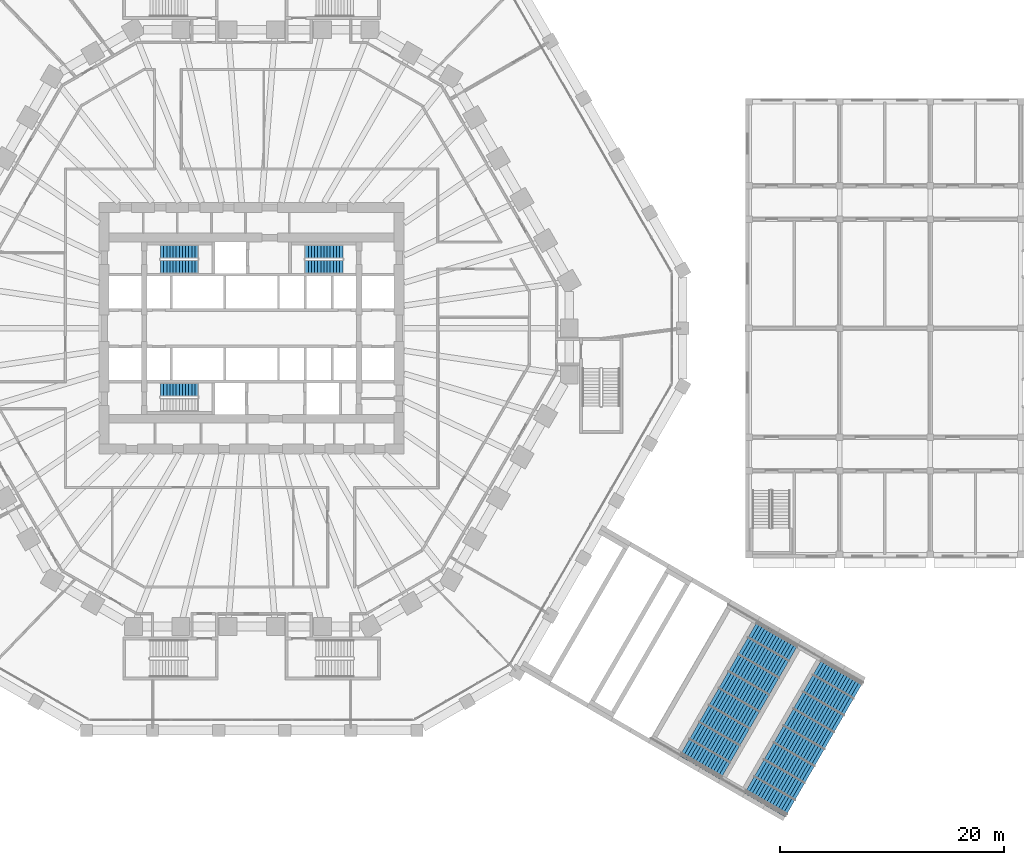
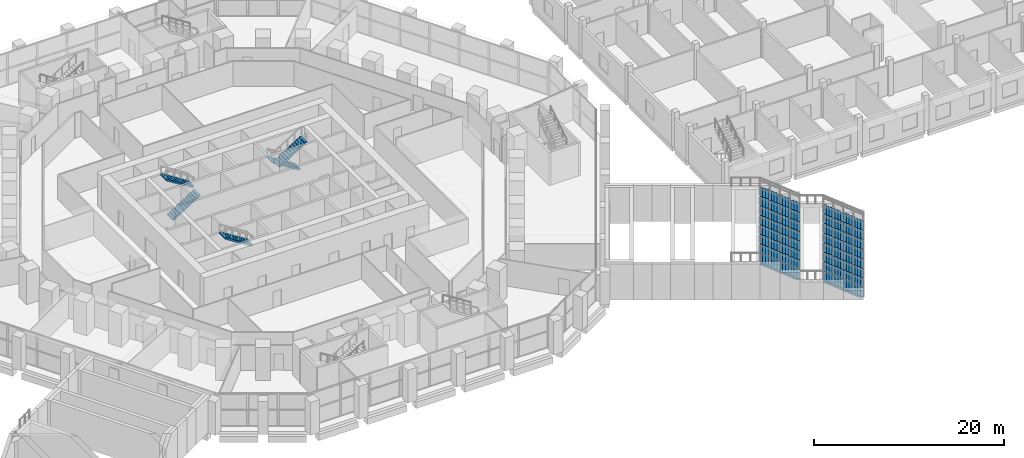
# One storey, part 30 of 38: 21 stair flights, 4 elements without a shape of their own.
"""IFC4 building model written with IfcOpenShell, lengths in metres."""

from ifc_helpers import new_model, si_unit, direction, frame, origin, place, context, subcontext, project, spatial, polyline, outline, extrude, material, layer, layer_set, type_object, element, aggregate, save


model = new_model("IFC4")

# Units and contexts
model_context = context("Model", 3, precision=1e-05, world=origin(), true_north=direction((0.0, 1.0)))
body_context = subcontext(model_context, "Body", "Model", "MODEL_VIEW")
ifc_project = project(units=[si_unit("LENGTHUNIT", "METRE"), si_unit("AREAUNIT", "SQUARE_METRE"), si_unit("VOLUMEUNIT", "CUBIC_METRE"), si_unit("PLANEANGLEUNIT", "RADIAN"), si_unit("MASSUNIT", "GRAM", prefix="KILO")], contexts=[model_context])

# Site, building, storey
site_placement = place(None, origin())
site = spatial("IfcSite", under=ifc_project, at=site_placement, CompositionType="ELEMENT")
building_placement = place(site_placement, origin())
building = spatial("IfcBuilding", under=site, at=building_placement, Name="Frailejon Research Tower", CompositionType="ELEMENT")
storey_placement = place(building_placement, frame((0.0, 0.0, 5.60009765625)))
storey = spatial("IfcBuildingStorey", under=building, at=storey_placement, Name="L01", CompositionType="ELEMENT", Elevation=5.60009765625)

# Stair, stair flights
ifc_material_1 = material(Name="Concrete C35/45", Category="concrete")
stair_type_1 = type_object("IfcStairType", Name="Broad stair", PredefinedType="STRAIGHT_RUN_STAIR", material=ifc_material_1)
stair_1_placement = place(storey_placement, origin())
stair_1 = element("IfcStair", 1, at=stair_1_placement, inside=storey, type_object=stair_type_1, Name="Broad stair E2", PredefinedType="STRAIGHT_RUN_STAIR")
ifc_material_2 = material(Name="Concrete C35/45", Category="concrete")
stair_flight_type_1 = type_object("IfcStairFlightType", Name="Broad stair flight", PredefinedType="STRAIGHT", material=ifc_material_2)
stair_flight_1_placement = place(storey_placement, frame((42.367919921875, -39.61669921875, 2.2998046875), z_axis=(0.0, 0.0, 1.0), x_axis=(-0.866025403784, 0.5, 0.0)))
stair_flight_1 = element("IfcStairFlight", 2, at=stair_flight_1_placement, type_object=stair_flight_type_1, Name="SS-E2 flight 1", NumberOfRisers=15, NumberOfTreads=14, PredefinedType="STRAIGHT", RiserHeight=0.153333333, TreadLength=0.3, context=body_context, shape_type="SweptSolid", body=[
    extrude(outline(polyline([(0.0, 0.0), (0.0, 0.1533203125), (0.300048828125, 0.1533203125), (0.300048828125, 0.306640625), (0.60009765625, 0.306640625), (0.60009765625, 0.4599609375), (0.89990234375, 0.4599609375), (0.89990234375, 0.61328125), (1.199951171875, 0.61328125), (1.199951171875, 0.7666015625), (1.5, 0.7666015625), (1.5, 0.919921875), (1.800048828125, 0.919921875), (1.800048828125, 1.0732421875), (2.10009765625, 1.0732421875), (2.10009765625, 1.2265625), (2.39990234375, 1.2265625), (2.39990234375, 1.3798828125), (2.699951171875, 1.3798828125), (2.699951171875, 1.533447265625), (3.0, 1.533447265625), (3.0, 1.686767578125), (3.300048828125, 1.686767578125), (3.300048828125, 1.840087890625), (3.60009765625, 1.840087890625), (3.60009765625, 1.993408203125), (3.89990234375, 1.993408203125), (3.89990234375, 2.146728515625), (4.199951171875, 2.146728515625), (4.199951171875, 2.300048828125), (4.199951171875, 1.922119140625), (0.439453125, 0.0), (0.0, 0.0)])), frame((0.0, 0.875, 0.0), z_axis=(0.0, -1.0, 0.0), x_axis=(1.0, 0.0, 0.0)), (0.0, 0.0, 1.0), 1.75),
])
stair_flight_2_placement = place(storey_placement, frame((43.242919921875, -38.10107421875, 2.2998046875), z_axis=(0.0, 0.0, 1.0), x_axis=(-0.866025403784, 0.5, 0.0)))
stair_flight_2 = element("IfcStairFlight", 3, at=stair_flight_2_placement, type_object=stair_flight_type_1, Name="SS-E2 flight 2", NumberOfRisers=15, NumberOfTreads=14, PredefinedType="STRAIGHT", RiserHeight=0.153333333, TreadLength=0.3, context=body_context, shape_type="SweptSolid", body=[
    extrude(outline(polyline([(0.0, 0.0), (0.0, 0.1533203125), (0.300048828125, 0.1533203125), (0.300048828125, 0.306640625), (0.60009765625, 0.306640625), (0.60009765625, 0.4599609375), (0.89990234375, 0.4599609375), (0.89990234375, 0.61328125), (1.199951171875, 0.61328125), (1.199951171875, 0.7666015625), (1.5, 0.7666015625), (1.5, 0.919921875), (1.800048828125, 0.919921875), (1.800048828125, 1.0732421875), (2.10009765625, 1.0732421875), (2.10009765625, 1.2265625), (2.39990234375, 1.2265625), (2.39990234375, 1.3798828125), (2.699951171875, 1.3798828125), (2.699951171875, 1.533447265625), (3.0, 1.533447265625), (3.0, 1.686767578125), (3.300048828125, 1.686767578125), (3.300048828125, 1.840087890625), (3.60009765625, 1.840087890625), (3.60009765625, 1.993408203125), (3.89990234375, 1.993408203125), (3.89990234375, 2.146728515625), (4.199951171875, 2.146728515625), (4.199951171875, 2.300048828125), (4.199951171875, 1.922119140625), (0.439453125, 0.0), (0.0, 0.0)])), frame((0.0, 0.875, 0.0), z_axis=(0.0, -1.0, 0.0), x_axis=(1.0, 0.0, 0.0)), (0.0, 0.0, 1.0), 1.75),
])
stair_flight_3_placement = place(storey_placement, frame((44.117919921875, -36.58544921875, 2.2998046875), z_axis=(0.0, 0.0, 1.0), x_axis=(-0.866025403784, 0.5, 0.0)))
stair_flight_3 = element("IfcStairFlight", 4, at=stair_flight_3_placement, type_object=stair_flight_type_1, Name="SS-E2 flight 3", NumberOfRisers=15, NumberOfTreads=14, PredefinedType="STRAIGHT", RiserHeight=0.153333333, TreadLength=0.3, context=body_context, shape_type="SweptSolid", body=[
    extrude(outline(polyline([(0.0, 0.0), (0.0, 0.1533203125), (0.300048828125, 0.1533203125), (0.300048828125, 0.306640625), (0.60009765625, 0.306640625), (0.60009765625, 0.4599609375), (0.89990234375, 0.4599609375), (0.89990234375, 0.61328125), (1.199951171875, 0.61328125), (1.199951171875, 0.7666015625), (1.5, 0.7666015625), (1.5, 0.919921875), (1.800048828125, 0.919921875), (1.800048828125, 1.0732421875), (2.10009765625, 1.0732421875), (2.10009765625, 1.2265625), (2.39990234375, 1.2265625), (2.39990234375, 1.3798828125), (2.699951171875, 1.3798828125), (2.699951171875, 1.533447265625), (3.0, 1.533447265625), (3.0, 1.686767578125), (3.300048828125, 1.686767578125), (3.300048828125, 1.840087890625), (3.60009765625, 1.840087890625), (3.60009765625, 1.993408203125), (3.89990234375, 1.993408203125), (3.89990234375, 2.146728515625), (4.199951171875, 2.146728515625), (4.199951171875, 2.300048828125), (4.199951171875, 1.922119140625), (0.439453125, 0.0), (0.0, 0.0)])), frame((0.0, 0.875, 0.0), z_axis=(0.0, -1.0, 0.0), x_axis=(1.0, 0.0, 0.0)), (0.0, 0.0, 1.0), 1.75),
])
stair_flight_4_placement = place(storey_placement, frame((44.992919921875, -35.070068359375, 2.2998046875), z_axis=(0.0, 0.0, 1.0), x_axis=(-0.866025403784, 0.5, 0.0)))
stair_flight_4 = element("IfcStairFlight", 5, at=stair_flight_4_placement, type_object=stair_flight_type_1, Name="SS-E2 flight 4", NumberOfRisers=15, NumberOfTreads=14, PredefinedType="STRAIGHT", RiserHeight=0.153333333, TreadLength=0.3, context=body_context, shape_type="SweptSolid", body=[
    extrude(outline(polyline([(0.0, 0.0), (0.0, 0.1533203125), (0.300048828125, 0.1533203125), (0.300048828125, 0.306640625), (0.60009765625, 0.306640625), (0.60009765625, 0.4599609375), (0.89990234375, 0.4599609375), (0.89990234375, 0.61328125), (1.199951171875, 0.61328125), (1.199951171875, 0.7666015625), (1.5, 0.7666015625), (1.5, 0.919921875), (1.800048828125, 0.919921875), (1.800048828125, 1.0732421875), (2.10009765625, 1.0732421875), (2.10009765625, 1.2265625), (2.39990234375, 1.2265625), (2.39990234375, 1.3798828125), (2.699951171875, 1.3798828125), (2.699951171875, 1.533447265625), (3.0, 1.533447265625), (3.0, 1.686767578125), (3.300048828125, 1.686767578125), (3.300048828125, 1.840087890625), (3.60009765625, 1.840087890625), (3.60009765625, 1.993408203125), (3.89990234375, 1.993408203125), (3.89990234375, 2.146728515625), (4.199951171875, 2.146728515625), (4.199951171875, 2.300048828125), (4.199951171875, 1.922119140625), (0.439453125, 0.0), (0.0, 0.0)])), frame((0.0, 0.875, 0.0), z_axis=(0.0, -1.0, 0.0), x_axis=(1.0, 0.0, 0.0)), (0.0, 0.0, 1.0), 1.75),
])
stair_flight_5_placement = place(storey_placement, frame((45.867919921875, -33.554443359375, 2.2998046875), z_axis=(0.0, 0.0, 1.0), x_axis=(-0.866025403784, 0.5, 0.0)))
stair_flight_5 = element("IfcStairFlight", 6, at=stair_flight_5_placement, type_object=stair_flight_type_1, Name="SS-E2 flight 5", NumberOfRisers=15, NumberOfTreads=14, PredefinedType="STRAIGHT", RiserHeight=0.153333333, TreadLength=0.3, context=body_context, shape_type="SweptSolid", body=[
    extrude(outline(polyline([(0.0, 0.0), (0.0, 0.1533203125), (0.300048828125, 0.1533203125), (0.300048828125, 0.306640625), (0.60009765625, 0.306640625), (0.60009765625, 0.4599609375), (0.89990234375, 0.4599609375), (0.89990234375, 0.61328125), (1.199951171875, 0.61328125), (1.199951171875, 0.7666015625), (1.5, 0.7666015625), (1.5, 0.919921875), (1.800048828125, 0.919921875), (1.800048828125, 1.0732421875), (2.10009765625, 1.0732421875), (2.10009765625, 1.2265625), (2.39990234375, 1.2265625), (2.39990234375, 1.3798828125), (2.699951171875, 1.3798828125), (2.699951171875, 1.533447265625), (3.0, 1.533447265625), (3.0, 1.686767578125), (3.300048828125, 1.686767578125), (3.300048828125, 1.840087890625), (3.60009765625, 1.840087890625), (3.60009765625, 1.993408203125), (3.89990234375, 1.993408203125), (3.89990234375, 2.146728515625), (4.199951171875, 2.146728515625), (4.199951171875, 2.300048828125), (4.199951171875, 1.922119140625), (0.439453125, 0.0), (0.0, 0.0)])), frame((0.0, 0.875, 0.0), z_axis=(0.0, -1.0, 0.0), x_axis=(1.0, 0.0, 0.0)), (0.0, 0.0, 1.0), 1.75),
])
stair_flight_6_placement = place(storey_placement, frame((46.742919921875, -32.038818359375, 2.2998046875), z_axis=(0.0, 0.0, 1.0), x_axis=(-0.866025403784, 0.5, 0.0)))
stair_flight_6 = element("IfcStairFlight", 7, at=stair_flight_6_placement, type_object=stair_flight_type_1, Name="SS-E2 flight 6", NumberOfRisers=15, NumberOfTreads=14, PredefinedType="STRAIGHT", RiserHeight=0.153333333, TreadLength=0.3, context=body_context, shape_type="SweptSolid", body=[
    extrude(outline(polyline([(0.0, 0.0), (0.0, 0.1533203125), (0.300048828125, 0.1533203125), (0.300048828125, 0.306640625), (0.60009765625, 0.306640625), (0.60009765625, 0.4599609375), (0.89990234375, 0.4599609375), (0.89990234375, 0.61328125), (1.199951171875, 0.61328125), (1.199951171875, 0.7666015625), (1.5, 0.7666015625), (1.5, 0.919921875), (1.800048828125, 0.919921875), (1.800048828125, 1.0732421875), (2.10009765625, 1.0732421875), (2.10009765625, 1.2265625), (2.39990234375, 1.2265625), (2.39990234375, 1.3798828125), (2.699951171875, 1.3798828125), (2.699951171875, 1.533447265625), (3.0, 1.533447265625), (3.0, 1.686767578125), (3.300048828125, 1.686767578125), (3.300048828125, 1.840087890625), (3.60009765625, 1.840087890625), (3.60009765625, 1.993408203125), (3.89990234375, 1.993408203125), (3.89990234375, 2.146728515625), (4.199951171875, 2.146728515625), (4.199951171875, 2.300048828125), (4.199951171875, 1.922119140625), (0.439453125, 0.0), (0.0, 0.0)])), frame((0.0, 0.875, 0.0), z_axis=(0.0, -1.0, 0.0), x_axis=(1.0, 0.0, 0.0)), (0.0, 0.0, 1.0), 1.75),
])
stair_flight_7_placement = place(storey_placement, frame((47.617919921875, -30.523193359375, 2.2998046875), z_axis=(0.0, 0.0, 1.0), x_axis=(-0.866025403784, 0.5, 0.0)))
stair_flight_7 = element("IfcStairFlight", 8, at=stair_flight_7_placement, type_object=stair_flight_type_1, Name="SS-E2 flight 7", NumberOfRisers=15, NumberOfTreads=14, PredefinedType="STRAIGHT", RiserHeight=0.153333333, TreadLength=0.3, context=body_context, shape_type="SweptSolid", body=[
    extrude(outline(polyline([(0.0, 0.0), (0.0, 0.1533203125), (0.300048828125, 0.1533203125), (0.300048828125, 0.306640625), (0.60009765625, 0.306640625), (0.60009765625, 0.4599609375), (0.89990234375, 0.4599609375), (0.89990234375, 0.61328125), (1.199951171875, 0.61328125), (1.199951171875, 0.7666015625), (1.5, 0.7666015625), (1.5, 0.919921875), (1.800048828125, 0.919921875), (1.800048828125, 1.0732421875), (2.10009765625, 1.0732421875), (2.10009765625, 1.2265625), (2.39990234375, 1.2265625), (2.39990234375, 1.3798828125), (2.699951171875, 1.3798828125), (2.699951171875, 1.533447265625), (3.0, 1.533447265625), (3.0, 1.686767578125), (3.300048828125, 1.686767578125), (3.300048828125, 1.840087890625), (3.60009765625, 1.840087890625), (3.60009765625, 1.993408203125), (3.89990234375, 1.993408203125), (3.89990234375, 2.146728515625), (4.199951171875, 2.146728515625), (4.199951171875, 2.300048828125), (4.199951171875, 1.922119140625), (0.439453125, 0.0), (0.0, 0.0)])), frame((0.0, 0.875, 0.0), z_axis=(0.0, -1.0, 0.0), x_axis=(1.0, 0.0, 0.0)), (0.0, 0.0, 1.0), 1.75),
])
stair_flight_8_placement = place(storey_placement, frame((48.492919921875, -29.0078125, 2.2998046875), z_axis=(0.0, 0.0, 1.0), x_axis=(-0.866025403784, 0.5, 0.0)))
stair_flight_8 = element("IfcStairFlight", 9, at=stair_flight_8_placement, type_object=stair_flight_type_1, Name="SS-E2 flight 8", NumberOfRisers=15, NumberOfTreads=14, PredefinedType="STRAIGHT", RiserHeight=0.153333333, TreadLength=0.3, context=body_context, shape_type="SweptSolid", body=[
    extrude(outline(polyline([(0.0, 0.0), (0.0, 0.1533203125), (0.300048828125, 0.1533203125), (0.300048828125, 0.306640625), (0.60009765625, 0.306640625), (0.60009765625, 0.4599609375), (0.89990234375, 0.4599609375), (0.89990234375, 0.61328125), (1.199951171875, 0.61328125), (1.199951171875, 0.7666015625), (1.5, 0.7666015625), (1.5, 0.919921875), (1.800048828125, 0.919921875), (1.800048828125, 1.0732421875), (2.10009765625, 1.0732421875), (2.10009765625, 1.2265625), (2.39990234375, 1.2265625), (2.39990234375, 1.3798828125), (2.699951171875, 1.3798828125), (2.699951171875, 1.533447265625), (3.0, 1.533447265625), (3.0, 1.686767578125), (3.300048828125, 1.686767578125), (3.300048828125, 1.840087890625), (3.60009765625, 1.840087890625), (3.60009765625, 1.993408203125), (3.89990234375, 1.993408203125), (3.89990234375, 2.146728515625), (4.199951171875, 2.146728515625), (4.199951171875, 2.300048828125), (4.199951171875, 1.922119140625), (0.439453125, 0.0), (0.0, 0.0)])), frame((0.0, 0.875, 0.0), z_axis=(0.0, -1.0, 0.0), x_axis=(1.0, 0.0, 0.0)), (0.0, 0.0, 1.0), 1.75),
])
stair_flight_9_placement = place(storey_placement, frame((48.17041015625, -42.966552734375, 0.0), z_axis=(0.0, 0.0, 1.0), x_axis=(-0.866025403784, 0.5, 0.0)))
stair_flight_9 = element("IfcStairFlight", 10, at=stair_flight_9_placement, type_object=stair_flight_type_1, Name="SS-E2 flight 9", NumberOfRisers=15, NumberOfTreads=14, PredefinedType="STRAIGHT", RiserHeight=0.153333333, TreadLength=0.3, context=body_context, shape_type="SweptSolid", body=[
    extrude(outline(polyline([(0.0, 0.0), (0.0, 0.1533203125), (0.300048828125, 0.1533203125), (0.300048828125, 0.306640625), (0.60009765625, 0.306640625), (0.60009765625, 0.4599609375), (0.89990234375, 0.4599609375), (0.89990234375, 0.61328125), (1.199951171875, 0.61328125), (1.199951171875, 0.7666015625), (1.5, 0.7666015625), (1.5, 0.919921875), (1.800048828125, 0.919921875), (1.800048828125, 1.0732421875), (2.10009765625, 1.0732421875), (2.10009765625, 1.2265625), (2.39990234375, 1.2265625), (2.39990234375, 1.3798828125), (2.699951171875, 1.3798828125), (2.699951171875, 1.533447265625), (3.0, 1.533447265625), (3.0, 1.686767578125), (3.300048828125, 1.686767578125), (3.300048828125, 1.840087890625), (3.60009765625, 1.840087890625), (3.60009765625, 1.993408203125), (3.89990234375, 1.993408203125), (3.89990234375, 2.146728515625), (4.199951171875, 2.146728515625), (4.199951171875, 2.300048828125), (4.199951171875, 1.922119140625), (0.439453125, 0.0), (0.0, 0.0)])), frame((0.0, 0.875, 0.0), z_axis=(0.0, -1.0, 0.0), x_axis=(1.0, 0.0, 0.0)), (0.0, 0.0, 1.0), 1.75),
])
stair_flight_10_placement = place(storey_placement, frame((49.04541015625, -41.450927734375, 0.0), z_axis=(0.0, 0.0, 1.0), x_axis=(-0.866025403784, 0.5, 0.0)))
stair_flight_10 = element("IfcStairFlight", 11, at=stair_flight_10_placement, type_object=stair_flight_type_1, Name="SS-E2 flight 10", NumberOfRisers=15, NumberOfTreads=14, PredefinedType="STRAIGHT", RiserHeight=0.153333333, TreadLength=0.3, context=body_context, shape_type="SweptSolid", body=[
    extrude(outline(polyline([(0.0, 0.0), (0.0, 0.1533203125), (0.300048828125, 0.1533203125), (0.300048828125, 0.306640625), (0.60009765625, 0.306640625), (0.60009765625, 0.4599609375), (0.89990234375, 0.4599609375), (0.89990234375, 0.61328125), (1.199951171875, 0.61328125), (1.199951171875, 0.7666015625), (1.5, 0.7666015625), (1.5, 0.919921875), (1.800048828125, 0.919921875), (1.800048828125, 1.0732421875), (2.10009765625, 1.0732421875), (2.10009765625, 1.2265625), (2.39990234375, 1.2265625), (2.39990234375, 1.3798828125), (2.699951171875, 1.3798828125), (2.699951171875, 1.533447265625), (3.0, 1.533447265625), (3.0, 1.686767578125), (3.300048828125, 1.686767578125), (3.300048828125, 1.840087890625), (3.60009765625, 1.840087890625), (3.60009765625, 1.993408203125), (3.89990234375, 1.993408203125), (3.89990234375, 2.146728515625), (4.199951171875, 2.146728515625), (4.199951171875, 2.300048828125), (4.199951171875, 1.922119140625), (0.439453125, 0.0), (0.0, 0.0)])), frame((0.0, 0.875, 0.0), z_axis=(0.0, -1.0, 0.0), x_axis=(1.0, 0.0, 0.0)), (0.0, 0.0, 1.0), 1.75),
])
stair_flight_11_placement = place(storey_placement, frame((49.92041015625, -39.935546875, 0.0), z_axis=(0.0, 0.0, 1.0), x_axis=(-0.866025403784, 0.5, 0.0)))
stair_flight_11 = element("IfcStairFlight", 12, at=stair_flight_11_placement, type_object=stair_flight_type_1, Name="SS-E2 flight 11", NumberOfRisers=15, NumberOfTreads=14, PredefinedType="STRAIGHT", RiserHeight=0.153333333, TreadLength=0.3, context=body_context, shape_type="SweptSolid", body=[
    extrude(outline(polyline([(0.0, 0.0), (0.0, 0.1533203125), (0.300048828125, 0.1533203125), (0.300048828125, 0.306640625), (0.60009765625, 0.306640625), (0.60009765625, 0.4599609375), (0.89990234375, 0.4599609375), (0.89990234375, 0.61328125), (1.199951171875, 0.61328125), (1.199951171875, 0.7666015625), (1.5, 0.7666015625), (1.5, 0.919921875), (1.800048828125, 0.919921875), (1.800048828125, 1.0732421875), (2.10009765625, 1.0732421875), (2.10009765625, 1.2265625), (2.39990234375, 1.2265625), (2.39990234375, 1.3798828125), (2.699951171875, 1.3798828125), (2.699951171875, 1.533447265625), (3.0, 1.533447265625), (3.0, 1.686767578125), (3.300048828125, 1.686767578125), (3.300048828125, 1.840087890625), (3.60009765625, 1.840087890625), (3.60009765625, 1.993408203125), (3.89990234375, 1.993408203125), (3.89990234375, 2.146728515625), (4.199951171875, 2.146728515625), (4.199951171875, 2.300048828125), (4.199951171875, 1.922119140625), (0.439453125, 0.0), (0.0, 0.0)])), frame((0.0, 0.875, 0.0), z_axis=(0.0, -1.0, 0.0), x_axis=(1.0, 0.0, 0.0)), (0.0, 0.0, 1.0), 1.75),
])
stair_flight_12_placement = place(storey_placement, frame((50.79541015625, -38.419921875, 0.0), z_axis=(0.0, 0.0, 1.0), x_axis=(-0.866025403784, 0.5, 0.0)))
stair_flight_12 = element("IfcStairFlight", 13, at=stair_flight_12_placement, type_object=stair_flight_type_1, Name="SS-E2 flight 12", NumberOfRisers=15, NumberOfTreads=14, PredefinedType="STRAIGHT", RiserHeight=0.153333333, TreadLength=0.3, context=body_context, shape_type="SweptSolid", body=[
    extrude(outline(polyline([(0.0, 0.0), (0.0, 0.1533203125), (0.300048828125, 0.1533203125), (0.300048828125, 0.306640625), (0.60009765625, 0.306640625), (0.60009765625, 0.4599609375), (0.89990234375, 0.4599609375), (0.89990234375, 0.61328125), (1.199951171875, 0.61328125), (1.199951171875, 0.7666015625), (1.5, 0.7666015625), (1.5, 0.919921875), (1.800048828125, 0.919921875), (1.800048828125, 1.0732421875), (2.10009765625, 1.0732421875), (2.10009765625, 1.2265625), (2.39990234375, 1.2265625), (2.39990234375, 1.3798828125), (2.699951171875, 1.3798828125), (2.699951171875, 1.533447265625), (3.0, 1.533447265625), (3.0, 1.686767578125), (3.300048828125, 1.686767578125), (3.300048828125, 1.840087890625), (3.60009765625, 1.840087890625), (3.60009765625, 1.993408203125), (3.89990234375, 1.993408203125), (3.89990234375, 2.146728515625), (4.199951171875, 2.146728515625), (4.199951171875, 2.300048828125), (4.199951171875, 1.922119140625), (0.439453125, 0.0), (0.0, 0.0)])), frame((0.0, 0.875, 0.0), z_axis=(0.0, -1.0, 0.0), x_axis=(1.0, 0.0, 0.0)), (0.0, 0.0, 1.0), 1.75),
])
stair_flight_13_placement = place(storey_placement, frame((51.67041015625, -36.904296875, 0.0), z_axis=(0.0, 0.0, 1.0), x_axis=(-0.866025403784, 0.5, 0.0)))
stair_flight_13 = element("IfcStairFlight", 14, at=stair_flight_13_placement, type_object=stair_flight_type_1, Name="SS-E2 flight 13", NumberOfRisers=15, NumberOfTreads=14, PredefinedType="STRAIGHT", RiserHeight=0.153333333, TreadLength=0.3, context=body_context, shape_type="SweptSolid", body=[
    extrude(outline(polyline([(0.0, 0.0), (0.0, 0.1533203125), (0.300048828125, 0.1533203125), (0.300048828125, 0.306640625), (0.60009765625, 0.306640625), (0.60009765625, 0.4599609375), (0.89990234375, 0.4599609375), (0.89990234375, 0.61328125), (1.199951171875, 0.61328125), (1.199951171875, 0.7666015625), (1.5, 0.7666015625), (1.5, 0.919921875), (1.800048828125, 0.919921875), (1.800048828125, 1.0732421875), (2.10009765625, 1.0732421875), (2.10009765625, 1.2265625), (2.39990234375, 1.2265625), (2.39990234375, 1.3798828125), (2.699951171875, 1.3798828125), (2.699951171875, 1.533447265625), (3.0, 1.533447265625), (3.0, 1.686767578125), (3.300048828125, 1.686767578125), (3.300048828125, 1.840087890625), (3.60009765625, 1.840087890625), (3.60009765625, 1.993408203125), (3.89990234375, 1.993408203125), (3.89990234375, 2.146728515625), (4.199951171875, 2.146728515625), (4.199951171875, 2.300048828125), (4.199951171875, 1.922119140625), (0.439453125, 0.0), (0.0, 0.0)])), frame((0.0, 0.875, 0.0), z_axis=(0.0, -1.0, 0.0), x_axis=(1.0, 0.0, 0.0)), (0.0, 0.0, 1.0), 1.75),
])
stair_flight_14_placement = place(storey_placement, frame((52.54541015625, -35.388916015625, 0.0), z_axis=(0.0, 0.0, 1.0), x_axis=(-0.866025403784, 0.5, 0.0)))
stair_flight_14 = element("IfcStairFlight", 15, at=stair_flight_14_placement, type_object=stair_flight_type_1, Name="SS-E2 flight 14", NumberOfRisers=15, NumberOfTreads=14, PredefinedType="STRAIGHT", RiserHeight=0.153333333, TreadLength=0.3, context=body_context, shape_type="SweptSolid", body=[
    extrude(outline(polyline([(0.0, 0.0), (0.0, 0.1533203125), (0.300048828125, 0.1533203125), (0.300048828125, 0.306640625), (0.60009765625, 0.306640625), (0.60009765625, 0.4599609375), (0.89990234375, 0.4599609375), (0.89990234375, 0.61328125), (1.199951171875, 0.61328125), (1.199951171875, 0.7666015625), (1.5, 0.7666015625), (1.5, 0.919921875), (1.800048828125, 0.919921875), (1.800048828125, 1.0732421875), (2.10009765625, 1.0732421875), (2.10009765625, 1.2265625), (2.39990234375, 1.2265625), (2.39990234375, 1.3798828125), (2.699951171875, 1.3798828125), (2.699951171875, 1.533447265625), (3.0, 1.533447265625), (3.0, 1.686767578125), (3.300048828125, 1.686767578125), (3.300048828125, 1.840087890625), (3.60009765625, 1.840087890625), (3.60009765625, 1.993408203125), (3.89990234375, 1.993408203125), (3.89990234375, 2.146728515625), (4.199951171875, 2.146728515625), (4.199951171875, 2.300048828125), (4.199951171875, 1.922119140625), (0.439453125, 0.0), (0.0, 0.0)])), frame((0.0, 0.875, 0.0), z_axis=(0.0, -1.0, 0.0), x_axis=(1.0, 0.0, 0.0)), (0.0, 0.0, 1.0), 1.75),
])
stair_flight_15_placement = place(storey_placement, frame((53.42041015625, -33.873291015625, 0.0), z_axis=(0.0, 0.0, 1.0), x_axis=(-0.866025403784, 0.5, 0.0)))
stair_flight_15 = element("IfcStairFlight", 16, at=stair_flight_15_placement, type_object=stair_flight_type_1, Name="SS-E2 flight 15", NumberOfRisers=15, NumberOfTreads=14, PredefinedType="STRAIGHT", RiserHeight=0.153333333, TreadLength=0.3, context=body_context, shape_type="SweptSolid", body=[
    extrude(outline(polyline([(0.0, 0.0), (0.0, 0.1533203125), (0.300048828125, 0.1533203125), (0.300048828125, 0.306640625), (0.60009765625, 0.306640625), (0.60009765625, 0.4599609375), (0.89990234375, 0.4599609375), (0.89990234375, 0.61328125), (1.199951171875, 0.61328125), (1.199951171875, 0.7666015625), (1.5, 0.7666015625), (1.5, 0.919921875), (1.800048828125, 0.919921875), (1.800048828125, 1.0732421875), (2.10009765625, 1.0732421875), (2.10009765625, 1.2265625), (2.39990234375, 1.2265625), (2.39990234375, 1.3798828125), (2.699951171875, 1.3798828125), (2.699951171875, 1.533447265625), (3.0, 1.533447265625), (3.0, 1.686767578125), (3.300048828125, 1.686767578125), (3.300048828125, 1.840087890625), (3.60009765625, 1.840087890625), (3.60009765625, 1.993408203125), (3.89990234375, 1.993408203125), (3.89990234375, 2.146728515625), (4.199951171875, 2.146728515625), (4.199951171875, 2.300048828125), (4.199951171875, 1.922119140625), (0.439453125, 0.0), (0.0, 0.0)])), frame((0.0, 0.875, 0.0), z_axis=(0.0, -1.0, 0.0), x_axis=(1.0, 0.0, 0.0)), (0.0, 0.0, 1.0), 1.75),
])
stair_flight_16_placement = place(storey_placement, frame((54.29541015625, -32.35791015625, 0.0), z_axis=(0.0, 0.0, 1.0), x_axis=(-0.866025403784, 0.5, 0.0)))
stair_flight_16 = element("IfcStairFlight", 17, at=stair_flight_16_placement, type_object=stair_flight_type_1, Name="SS-E2 flight 16", NumberOfRisers=15, NumberOfTreads=14, PredefinedType="STRAIGHT", RiserHeight=0.153333333, TreadLength=0.3, context=body_context, shape_type="SweptSolid", body=[
    extrude(outline(polyline([(0.0, 0.0), (0.0, 0.1533203125), (0.300048828125, 0.1533203125), (0.300048828125, 0.306640625), (0.60009765625, 0.306640625), (0.60009765625, 0.4599609375), (0.89990234375, 0.4599609375), (0.89990234375, 0.61328125), (1.199951171875, 0.61328125), (1.199951171875, 0.7666015625), (1.5, 0.7666015625), (1.5, 0.919921875), (1.800048828125, 0.919921875), (1.800048828125, 1.0732421875), (2.10009765625, 1.0732421875), (2.10009765625, 1.2265625), (2.39990234375, 1.2265625), (2.39990234375, 1.3798828125), (2.699951171875, 1.3798828125), (2.699951171875, 1.533447265625), (3.0, 1.533447265625), (3.0, 1.686767578125), (3.300048828125, 1.686767578125), (3.300048828125, 1.840087890625), (3.60009765625, 1.840087890625), (3.60009765625, 1.993408203125), (3.89990234375, 1.993408203125), (3.89990234375, 2.146728515625), (4.199951171875, 2.146728515625), (4.199951171875, 2.300048828125), (4.199951171875, 1.922119140625), (0.439453125, 0.0), (0.0, 0.0)])), frame((0.0, 0.875, 0.0), z_axis=(0.0, -1.0, 0.0), x_axis=(1.0, 0.0, 0.0)), (0.0, 0.0, 1.0), 1.75),
])
aggregate(stair_1, [stair_flight_1, stair_flight_2, stair_flight_3, stair_flight_4, stair_flight_5, stair_flight_6, stair_flight_7, stair_flight_8, stair_flight_9, stair_flight_10, stair_flight_11, stair_flight_12, stair_flight_13, stair_flight_14, stair_flight_15, stair_flight_16])

ifc_material_3 = material(Name="Concrete C50/60", Category="concrete")
stair_type_2 = type_object("IfcStairType", Name="Exit stair 26 risers", PredefinedType="HALF_TURN_STAIR", material=ifc_material_3)
stair_2_placement = place(storey_placement, origin())
stair_2 = element("IfcStair", 18, at=stair_2_placement, inside=storey, type_object=stair_type_2, Name="L01 Exit stair ST1", PredefinedType="HALF_TURN_STAIR")
ifc_material_4 = material(Name="Concrete C50/60", Category="concrete")
ifc_layer = layer(ifc_material_4, 0.14990234375)
ifc_layer_set = layer_set([ifc_layer], Name="Stair flight 13 risers")
stair_flight_type_2 = type_object("IfcStairFlightType", Name="Stair flight 13 risers", PredefinedType="STRAIGHT", material=ifc_layer_set)
stair_flight_17_placement = place(storey_placement, frame((-8.14990234375, 5.5, 0.0), z_axis=(0.0, 0.0, 1.0), x_axis=(1.0, 0.0, 0.0)))
stair_flight_17 = element("IfcStairFlight", 19, at=stair_flight_17_placement, type_object=stair_flight_type_2, Name="ST1 flight 1", NumberOfRisers=13, NumberOfTreads=12, PredefinedType="STRAIGHT", RiserHeight=0.176923077, TreadLength=0.28, context=body_context, shape_type="SweptSolid", body=[
    extrude(outline(polyline([(0.0, 0.0), (0.0, 0.177001953125), (0.280029296875, 0.177001953125), (0.280029296875, 0.353759765625), (0.56005859375, 0.353759765625), (0.56005859375, 0.53076171875), (0.840087890625, 0.53076171875), (0.840087890625, 0.707763671875), (1.1201171875, 0.707763671875), (1.1201171875, 0.884521484375), (1.39990234375, 0.884521484375), (1.39990234375, 1.0615234375), (1.679931640625, 1.0615234375), (1.679931640625, 1.238525390625), (1.9599609375, 1.238525390625), (1.9599609375, 1.415283203125), (2.239990234375, 1.415283203125), (2.239990234375, 1.59228515625), (2.52001953125, 1.59228515625), (2.52001953125, 1.769287109375), (2.800048828125, 1.769287109375), (2.800048828125, 1.946044921875), (3.080078125, 1.946044921875), (3.080078125, 2.123046875), (3.360107421875, 2.123046875), (3.360107421875, 2.300048828125), (3.360107421875, 1.94580078125), (0.280517578125, 0.0), (0.0, 0.0)])), frame((0.0, 0.60009765625, 0.0), z_axis=(0.0, -1.0, 0.0), x_axis=(1.0, 0.0, 0.0)), (0.0, 0.0, 1.0), 1.199951171875),
])
stair_flight_18_placement = place(storey_placement, frame((-4.7900390625, 6.85009765625, 2.2998046875), z_axis=(0.0, 0.0, 1.0), x_axis=(-1.0, 0.0, 0.0)))
stair_flight_18 = element("IfcStairFlight", 20, at=stair_flight_18_placement, type_object=stair_flight_type_2, Name="ST1 flight 2", NumberOfRisers=13, NumberOfTreads=12, PredefinedType="STRAIGHT", RiserHeight=0.176923077, TreadLength=0.28, context=body_context, shape_type="SweptSolid", body=[
    extrude(outline(polyline([(0.0, 0.0), (0.0, 0.177001953125), (0.280029296875, 0.177001953125), (0.280029296875, 0.353759765625), (0.56005859375, 0.353759765625), (0.56005859375, 0.53076171875), (0.840087890625, 0.53076171875), (0.840087890625, 0.707763671875), (1.1201171875, 0.707763671875), (1.1201171875, 0.884521484375), (1.39990234375, 0.884521484375), (1.39990234375, 1.0615234375), (1.679931640625, 1.0615234375), (1.679931640625, 1.238525390625), (1.9599609375, 1.238525390625), (1.9599609375, 1.415283203125), (2.239990234375, 1.415283203125), (2.239990234375, 1.59228515625), (2.52001953125, 1.59228515625), (2.52001953125, 1.769287109375), (2.800048828125, 1.769287109375), (2.800048828125, 1.946044921875), (3.080078125, 1.946044921875), (3.080078125, 2.123046875), (3.360107421875, 2.123046875), (3.360107421875, 2.300048828125), (3.360107421875, 1.94580078125), (0.280517578125, 0.0), (0.0, 0.0)])), frame((0.0, 0.60009765625, 0.0), z_axis=(0.0, -1.0, 0.0), x_axis=(1.0, 0.0, 0.0)), (0.0, 0.0, 1.0), 1.199951171875),
])
aggregate(stair_2, [stair_flight_17, stair_flight_18])

# Stair, stair flight
stair_3_placement = place(storey_placement, origin())
stair_3 = element("IfcStair", 21, at=stair_3_placement, inside=storey, type_object=stair_type_2, Name="L01 Exit stair ST2", PredefinedType="HALF_TURN_STAIR")
stair_flight_19_placement = place(storey_placement, frame((-4.7900390625, -5.5, 2.2998046875), z_axis=(0.0, 0.0, 1.0), x_axis=(-1.0, 0.0, 0.0)))
stair_flight_19 = element("IfcStairFlight", 22, at=stair_flight_19_placement, type_object=stair_flight_type_2, Name="ST2 flight 2", NumberOfRisers=13, NumberOfTreads=12, PredefinedType="STRAIGHT", RiserHeight=0.176923077, TreadLength=0.28, context=body_context, shape_type="SweptSolid", body=[
    extrude(outline(polyline([(0.0, 0.0), (0.0, 0.177001953125), (0.280029296875, 0.177001953125), (0.280029296875, 0.353759765625), (0.56005859375, 0.353759765625), (0.56005859375, 0.53076171875), (0.840087890625, 0.53076171875), (0.840087890625, 0.707763671875), (1.1201171875, 0.707763671875), (1.1201171875, 0.884521484375), (1.39990234375, 0.884521484375), (1.39990234375, 1.0615234375), (1.679931640625, 1.0615234375), (1.679931640625, 1.238525390625), (1.9599609375, 1.238525390625), (1.9599609375, 1.415283203125), (2.239990234375, 1.415283203125), (2.239990234375, 1.59228515625), (2.52001953125, 1.59228515625), (2.52001953125, 1.769287109375), (2.800048828125, 1.769287109375), (2.800048828125, 1.946044921875), (3.080078125, 1.946044921875), (3.080078125, 2.123046875), (3.360107421875, 2.123046875), (3.360107421875, 2.300048828125), (3.360107421875, 1.94580078125), (0.280517578125, 0.0), (0.0, 0.0)])), frame((0.0, 0.60009765625, 0.0), z_axis=(0.0, -1.0, 0.0), x_axis=(1.0, 0.0, 0.0)), (0.0, 0.0, 1.0), 1.199951171875),
])
aggregate(stair_3, [stair_flight_19])

# Stair, stair flights
stair_4_placement = place(storey_placement, origin())
stair_4 = element("IfcStair", 23, at=stair_4_placement, inside=storey, type_object=stair_type_2, Name="L01 Exit stair ST3", PredefinedType="HALF_TURN_STAIR")
stair_flight_20_placement = place(storey_placement, frame((8.14990234375, 6.85009765625, 0.0), z_axis=(0.0, 0.0, 1.0), x_axis=(-1.0, 0.0, 0.0)))
stair_flight_20 = element("IfcStairFlight", 24, at=stair_flight_20_placement, type_object=stair_flight_type_2, Name="ST3 flight 1", NumberOfRisers=13, NumberOfTreads=12, PredefinedType="STRAIGHT", RiserHeight=0.176923077, TreadLength=0.28, context=body_context, shape_type="SweptSolid", body=[
    extrude(outline(polyline([(0.0, 0.0), (0.0, 0.177001953125), (0.280029296875, 0.177001953125), (0.280029296875, 0.353759765625), (0.56005859375, 0.353759765625), (0.56005859375, 0.53076171875), (0.840087890625, 0.53076171875), (0.840087890625, 0.707763671875), (1.1201171875, 0.707763671875), (1.1201171875, 0.884521484375), (1.39990234375, 0.884521484375), (1.39990234375, 1.0615234375), (1.679931640625, 1.0615234375), (1.679931640625, 1.238525390625), (1.9599609375, 1.238525390625), (1.9599609375, 1.415283203125), (2.239990234375, 1.415283203125), (2.239990234375, 1.59228515625), (2.52001953125, 1.59228515625), (2.52001953125, 1.769287109375), (2.800048828125, 1.769287109375), (2.800048828125, 1.946044921875), (3.080078125, 1.946044921875), (3.080078125, 2.123046875), (3.360107421875, 2.123046875), (3.360107421875, 2.300048828125), (3.360107421875, 1.94580078125), (0.280517578125, 0.0), (0.0, 0.0)])), frame((0.0, 0.60009765625, 0.0), z_axis=(0.0, -1.0, 0.0), x_axis=(1.0, 0.0, 0.0)), (0.0, 0.0, 1.0), 1.199951171875),
])
stair_flight_21_placement = place(storey_placement, frame((4.7900390625, 5.5, 2.2998046875), z_axis=(0.0, 0.0, 1.0), x_axis=(1.0, 0.0, 0.0)))
stair_flight_21 = element("IfcStairFlight", 25, at=stair_flight_21_placement, type_object=stair_flight_type_2, Name="ST3 flight 2", NumberOfRisers=13, NumberOfTreads=12, PredefinedType="STRAIGHT", RiserHeight=0.176923077, TreadLength=0.28, context=body_context, shape_type="SweptSolid", body=[
    extrude(outline(polyline([(0.0, 0.0), (0.0, 0.177001953125), (0.280029296875, 0.177001953125), (0.280029296875, 0.353759765625), (0.56005859375, 0.353759765625), (0.56005859375, 0.53076171875), (0.840087890625, 0.53076171875), (0.840087890625, 0.707763671875), (1.1201171875, 0.707763671875), (1.1201171875, 0.884521484375), (1.39990234375, 0.884521484375), (1.39990234375, 1.0615234375), (1.679931640625, 1.0615234375), (1.679931640625, 1.238525390625), (1.9599609375, 1.238525390625), (1.9599609375, 1.415283203125), (2.239990234375, 1.415283203125), (2.239990234375, 1.59228515625), (2.52001953125, 1.59228515625), (2.52001953125, 1.769287109375), (2.800048828125, 1.769287109375), (2.800048828125, 1.946044921875), (3.080078125, 1.946044921875), (3.080078125, 2.123046875), (3.360107421875, 2.123046875), (3.360107421875, 2.300048828125), (3.360107421875, 1.94580078125), (0.280517578125, 0.0), (0.0, 0.0)])), frame((0.0, 0.60009765625, 0.0), z_axis=(0.0, -1.0, 0.0), x_axis=(1.0, 0.0, 0.0)), (0.0, 0.0, 1.0), 1.199951171875),
])
aggregate(stair_4, [stair_flight_20, stair_flight_21])

save(model, "model.ifc")
